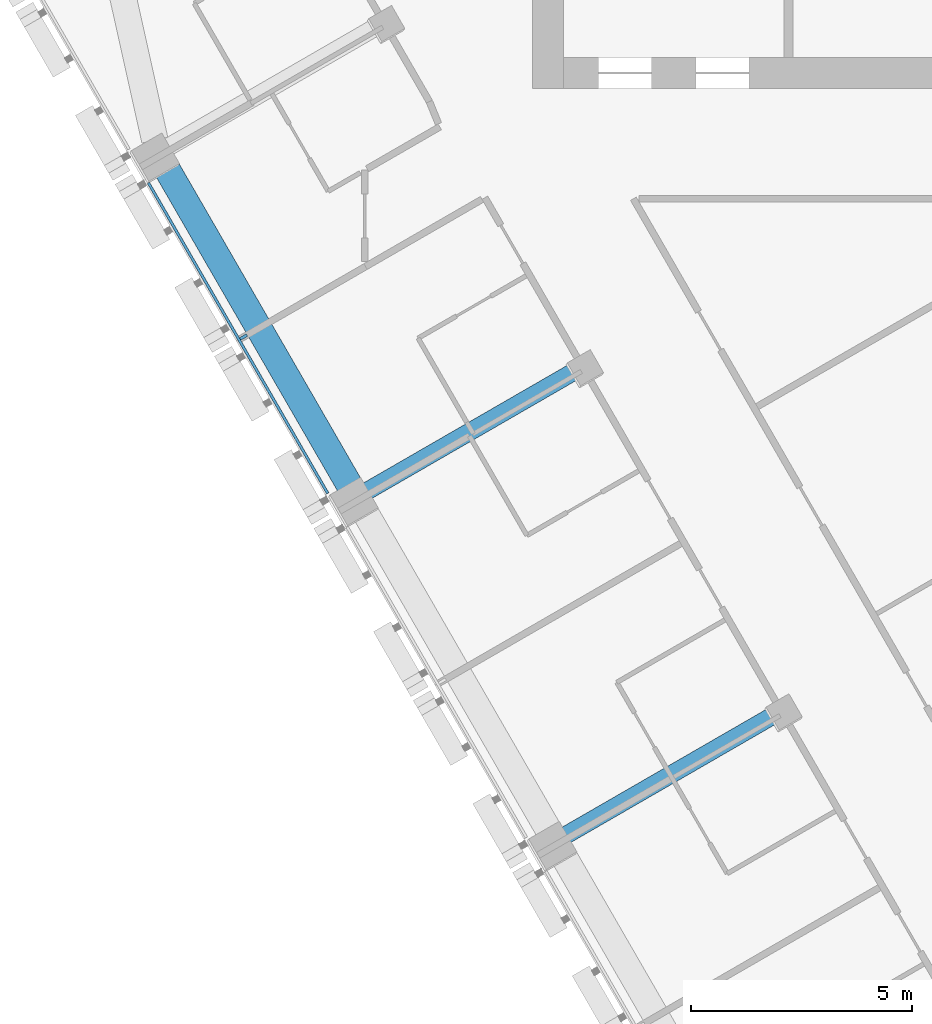
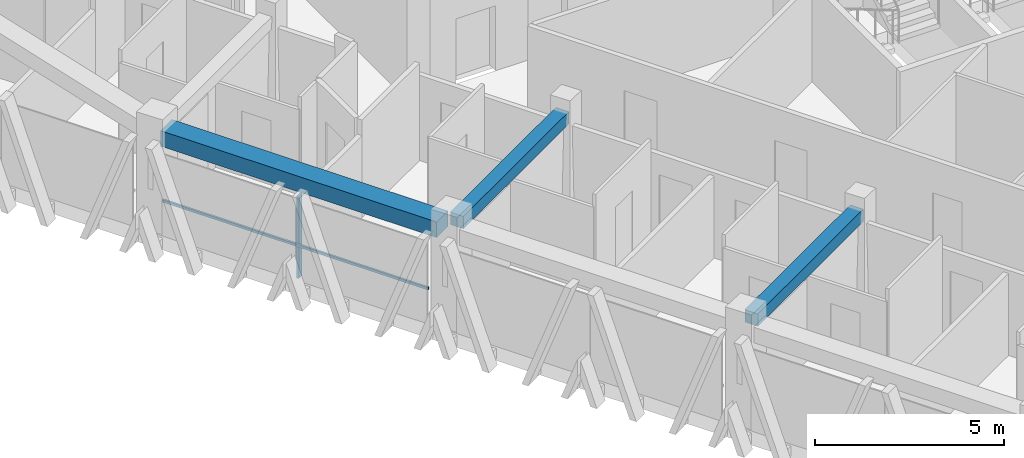
# One storey, part 3 of 16: 3 beams, 2 members, 1 element without a shape of its own.
"""IFC4 building model written with IfcOpenShell, lengths in metres."""

from ifc_helpers import new_model, si_unit, direction, frame, origin, origin_2d, place, context, subcontext, project, spatial, rectangle, extrude, material, layer, layer_set, material_profile, profile_set, type_object, element, aggregate, save


model = new_model("IFC4")

# Units and contexts
model_context = context("Model", 3, precision=1e-05, world=origin(), true_north=direction((0.0, 1.0)))
body_context = subcontext(model_context, "Body", "Model", "MODEL_VIEW")
ifc_project = project(units=[si_unit("LENGTHUNIT", "METRE"), si_unit("AREAUNIT", "SQUARE_METRE"), si_unit("VOLUMEUNIT", "CUBIC_METRE"), si_unit("PLANEANGLEUNIT", "RADIAN"), si_unit("MASSUNIT", "GRAM", prefix="KILO")], contexts=[model_context])

# Site, building, storey
site_placement = place(None, origin())
site = spatial("IfcSite", under=ifc_project, at=site_placement, CompositionType="ELEMENT")
building_placement = place(site_placement, origin())
building = spatial("IfcBuilding", under=site, at=building_placement, Name="Altiplano Prism Tower", CompositionType="ELEMENT")
storey_placement = place(building_placement, frame((0.0, 0.0, 174.60009765625)))
storey = spatial("IfcBuildingStorey", under=building, at=storey_placement, Name="L45", CompositionType="ELEMENT", Elevation=174.60009765625)

# Curtain wall, members
ifc_material_1 = material(Name="Aluminium and glass", Category="aluminium")
ifc_layer = layer(ifc_material_1, 0.280029296875)
ifc_layer_set = layer_set([ifc_layer], Name="Aluminium and glass")
curtain_wall_type = type_object("IfcCurtainWallType", Name="CW1 typical co-living unitised curtain wall", PredefinedType="NOTDEFINED", material=ifc_layer_set)
curtain_wall_placement = place(storey_placement, origin())
curtain_wall = element("IfcCurtainWall", 1, at=curtain_wall_placement, inside=storey, type_object=curtain_wall_type, Name="CW1 curtain wall south-west face L45", PredefinedType="NOTDEFINED")
ifc_material_2 = material(Name="Aluminium", Category="aluminium")
ifc_material_profile_1 = material_profile(ifc_material_2, rectangle(XDim=0.179931640625, YDim=0.06494140625, at=origin_2d()), Name="CW1 mullion 65 x 180")
ifc_profile_set_1 = profile_set([ifc_material_profile_1], Name="Aluminium")
member_type_1 = type_object("IfcMemberType", Name="CW1 mullion 65 x 180", PredefinedType="MULLION", material=ifc_profile_set_1)
member_1_placement = place(storey_placement, frame((65.757568359375, 87.069580078125, 0.0), z_axis=(0.0, 0.0, 1.0), x_axis=(0.866025407144, 0.499999994181, 0.0)))
member_1 = element("IfcMember", 2, at=member_1_placement, type_object=member_type_1, Name="CW1 mullion", PredefinedType="MULLION", context=body_context, shape_type="SweptSolid", body=[
    extrude(rectangle(XDim=0.179931640625, YDim=0.06494140625, at=origin_2d()), origin(), (0.0, 0.0, 1.0), 2.64990234375),
])
ifc_material_profile_2 = material_profile(ifc_material_2, rectangle(XDim=0.06005859375, YDim=0.080078125, at=origin_2d()), Name="CW1 transom 80 x 60")
ifc_profile_set_2 = profile_set([ifc_material_profile_2], Name="Aluminium")
member_type_2 = type_object("IfcMemberType", Name="CW1 transom 80 x 60", PredefinedType="USERDEFINED", material=ifc_profile_set_2)
member_2_placement = place(storey_placement, frame((63.60400390625, 90.559814453125, 1.099853515625), z_axis=(0.499990533176, -0.866030869389, 0.0), x_axis=(0.866030869389, 0.499990533176, 0.0)))
member_2 = element("IfcMember", 3, at=member_2_placement, type_object=member_type_2, Name="CW1 transom", ObjectType="TRANSOM", PredefinedType="USERDEFINED", context=body_context, shape_type="SweptSolid", body=[
    extrude(rectangle(XDim=0.06005859375, YDim=0.080078125, at=origin_2d()), origin(), (0.0, 0.0, 1.0), 8.119873046875),
])
aggregate(curtain_wall, [member_1, member_2])

# Beams
ifc_material_3 = material(Name="Concrete C60/75", Category="concrete")
ifc_material_profile_3 = material_profile(ifc_material_3, rectangle(XDim=0.60009765625, YDim=0.5, at=origin_2d()), Name="Edge beam 600x500")
ifc_profile_set_3 = profile_set([ifc_material_profile_3], Name="Concrete C60/75")
beam_type_1 = type_object("IfcBeamType", Name="Edge beam 600x500", PredefinedType="SPANDREL", material=ifc_profile_set_3)
beam_placement = place(storey_placement, frame((63.95263671875, 90.99267578125, 2.89990234375), z_axis=(0.500027935199, -0.866009274789, 0.0), x_axis=(0.866009274789, 0.500027935199, 0.0)))
element("IfcBeam", 4, at=beam_placement, inside=storey, type_object=beam_type_1, Name="Edge beam P11-P12 L46", PredefinedType="SPANDREL", context=body_context, shape_type="SweptSolid", body=[
    extrude(rectangle(XDim=0.60009765625, YDim=0.5, at=origin_2d()), origin(), (0.0, 0.0, 1.0), 8.43994140625),
])
ifc_material_profile_4 = material_profile(ifc_material_3, rectangle(XDim=0.39990234375, YDim=0.39990234375, at=origin_2d()), Name="Tie beam 400x400")
ifc_profile_set_4 = profile_set([ifc_material_profile_4], Name="Concrete C60/75")
beam_type_2 = type_object("IfcBeamType", Name="Tie beam 400x400", PredefinedType="BEAM", material=ifc_profile_set_4)
for number, where, z_axis, x_axis, name in (
    (5, (73.396240234375, 86.3759765625, 2.949951171875), (-0.866030670444, -0.499990877767, 0.0), (0.499990877767, -0.866030670444, 0.0), "Tie beam I12 L46"),
    (6, (77.896240234375, 78.581787109375, 2.949951171875), (-0.866030670444, -0.499990877767, 0.0), (0.499990877767, -0.866030670444, 0.0), "Tie beam I13 L46"),
):
    element("IfcBeam", number, at=place(storey_placement, frame(where, z_axis=z_axis, x_axis=x_axis)), inside=storey, type_object=beam_type_2, Name=name, PredefinedType="BEAM", context=body_context, shape_type="SweptSolid", body=[
        extrude(rectangle(XDim=0.39990234375, YDim=0.39990234375, at=origin_2d()), origin(), (0.0, 0.0, 1.0), 5.58984375),
    ])

save(model, "model.ifc")
